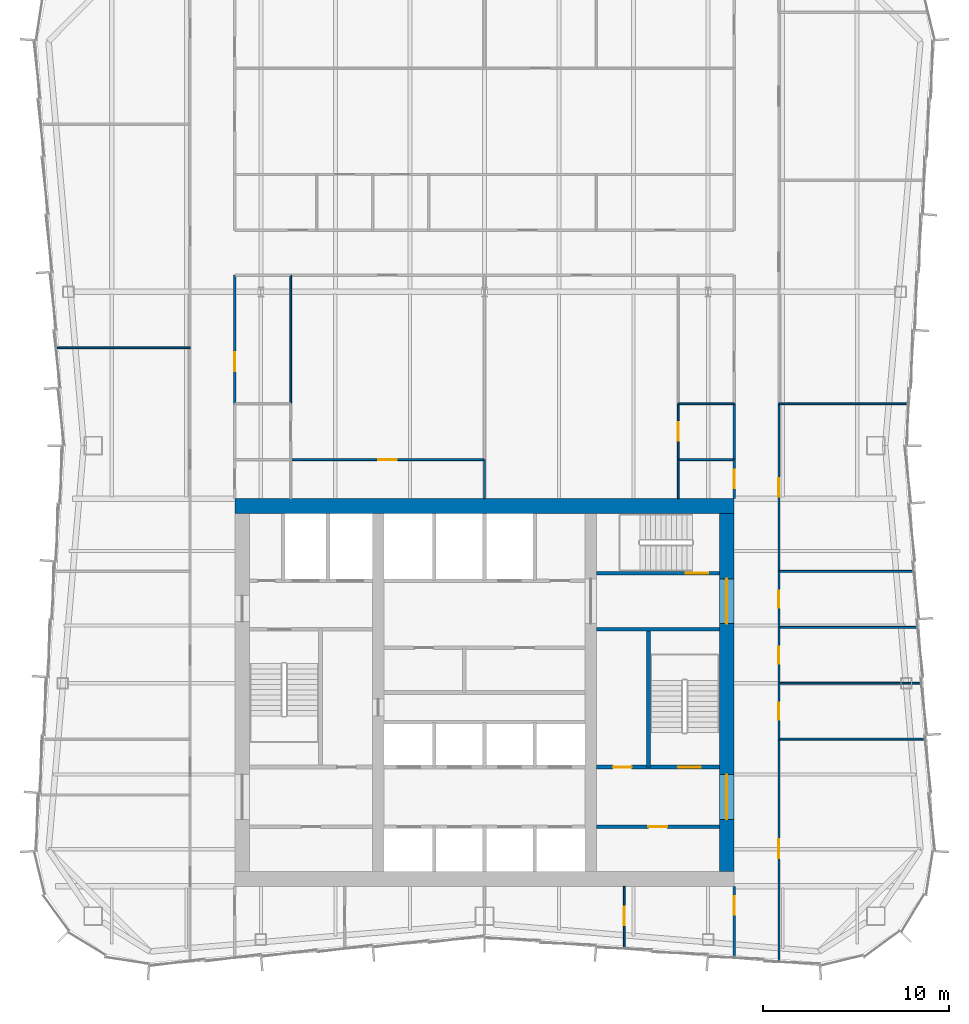
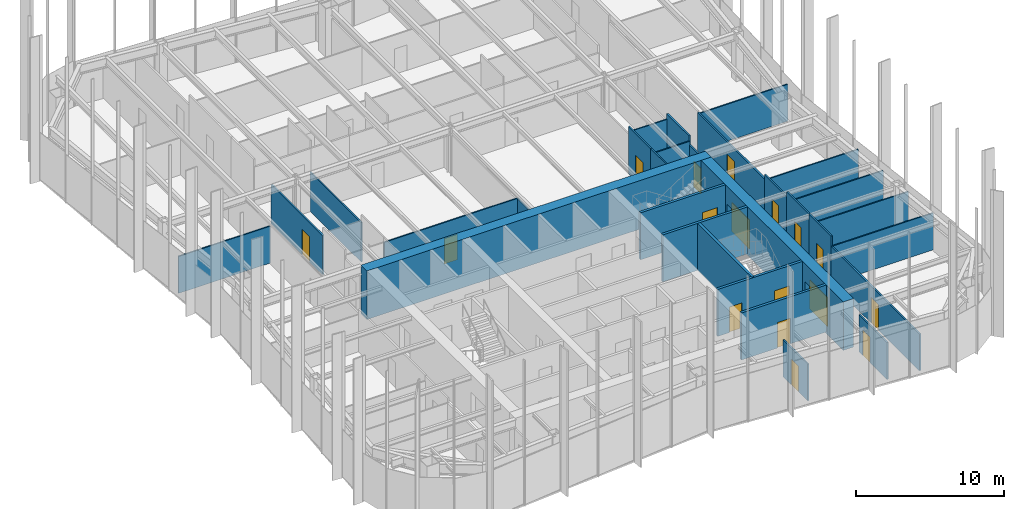
# One storey, part 12 of 15: 30 walls, 17 doors, 17 openings.
"""IFC4 building model written with IfcOpenShell, lengths in metres."""

from ifc_helpers import new_model, si_unit, direction, frame, frame_2d, origin, place, context, subcontext, project, spatial, rectangle, extrude, material, layer, layer_set, type_object, element, fill, save


model = new_model("IFC4")

# Units and contexts
model_context = context("Model", 3, precision=1e-05, world=origin(), true_north=direction((0.0, 1.0)))
body_context = subcontext(model_context, "Body", "Model", "MODEL_VIEW")
ifc_project = project(units=[si_unit("LENGTHUNIT", "METRE"), si_unit("AREAUNIT", "SQUARE_METRE"), si_unit("VOLUMEUNIT", "CUBIC_METRE"), si_unit("PLANEANGLEUNIT", "RADIAN"), si_unit("MASSUNIT", "GRAM", prefix="KILO")], contexts=[model_context])

# Site, building, storey
site_placement = place(None, origin())
site = spatial("IfcSite", under=ifc_project, at=site_placement, CompositionType="ELEMENT")
building_placement = place(site_placement, origin())
building = spatial("IfcBuilding", under=site, at=building_placement, Name="Verdant Reach Tower", CompositionType="ELEMENT")
storey_placement = place(building_placement, frame((0.0, 0.0, 238.0)))
storey = spatial("IfcBuildingStorey", under=building, at=storey_placement, Name="L54", CompositionType="ELEMENT", Elevation=238.0)

# Wall, opening, door
ifc_material_1 = material(Name="Gypsum board on steel studs", Category="steel")
ifc_layer_1 = layer(ifc_material_1, 0.199951171875)
ifc_layer_set_1 = layer_set([ifc_layer_1], Name="CO-WALL-ROOM")
wall_type_1 = type_object("IfcWallType", Name="CO-WALL-ROOM", PredefinedType="PARTITIONING", material=ifc_layer_set_1)
wall_1_placement = place(storey_placement, frame((6.0, 20.800048828125, 0.0), z_axis=(0.0, 0.0, 1.0), x_axis=(1.0, 0.0, 0.0)))
wall_1 = element("IfcWall", 1, at=wall_1_placement, inside=storey, type_object=wall_type_1, Name="Core partition, L54", PredefinedType="PARTITIONING", context=body_context, shape_type="SweptSolid", body=[
    extrude(rectangle(XDim=6.60009765625, YDim=0.199951171875, at=frame_2d((3.300048828125, 0.0))), origin(), (0.0, 0.0, 1.0), 3.8701171875),
])
opening_1_placement = place(wall_1_placement, frame((2.800048828125, 0.0, 0.0)))
opening_1 = element("IfcOpeningElement", 2, at=opening_1_placement, cuts=wall_1, Name="Opening CD", PredefinedType="OPENING", context=body_context, shape_type="SweptSolid", body=[
    extrude(rectangle(XDim=1.0, YDim=2.10009765625, at=frame_2d((0.5, 1.050048828125))), frame((0.0, 0.10986328125, 0.0), z_axis=(0.0, -1.0, 0.0), x_axis=(1.0, 0.0, 0.0)), (0.0, 0.0, 1.0), 0.219970703125),
])
ifc_material_2 = material(Name="Timber", Category="wood")
door_type_1 = type_object("IfcDoorType", Name="CO-DOOR-ROOM", OperationType="NOTDEFINED", PredefinedType="DOOR", material=ifc_material_2)
door_1_placement = place(opening_1_placement, origin())
door_1 = element("IfcDoor", 3, at=door_1_placement, inside=storey, type_object=door_type_1, Name="Core room door, L54", OperationType="SINGLE_SWING_RIGHT", OverallHeight=2.10009765625, OverallWidth=1.0, PredefinedType="DOOR", context=body_context, shape_type="SweptSolid", body=[
    extrude(rectangle(XDim=1.0, YDim=2.10009765625, at=frame_2d((0.5, 1.050048828125))), frame((0.0, 0.02490234375, 0.0), z_axis=(0.0, -1.0, 0.0), x_axis=(1.0, 0.0, 0.0)), (0.0, 0.0, 1.0), 0.050048828125),
])
fill(opening_1, door_1)

# Wall, openings, doors
ifc_material_3 = material(Name="Concrete C40/50", Category="concrete")
ifc_layer_2 = layer(ifc_material_3, 0.199951171875)
ifc_layer_set_2 = layer_set([ifc_layer_2], Name="CO-WALL-STAIR")
wall_type_2 = type_object("IfcWallType", Name="CO-WALL-STAIR", PredefinedType="PARTITIONING", material=ifc_layer_set_2)
wall_2_placement = place(storey_placement, frame((6.0, 24.0, 0.0), z_axis=(0.0, 0.0, 1.0), x_axis=(1.0, 0.0, 0.0)))
wall_2 = element("IfcWall", 4, at=wall_2_placement, inside=storey, type_object=wall_type_2, Name="Stair enclosure wall, L54", PredefinedType="PARTITIONING", context=body_context, shape_type="SweptSolid", body=[
    extrude(rectangle(XDim=6.60009765625, YDim=0.199951171875, at=frame_2d((3.300048828125, 0.0))), origin(), (0.0, 0.0, 1.0), 3.8701171875),
])
opening_2_placement = place(wall_2_placement, frame((0.89990234375, 0.0, 0.0)))
opening_2 = element("IfcOpeningElement", 5, at=opening_2_placement, cuts=wall_2, Name="Opening CD", PredefinedType="OPENING", context=body_context, shape_type="SweptSolid", body=[
    extrude(rectangle(XDim=1.0, YDim=2.10009765625, at=frame_2d((0.5, 1.050048828125))), frame((0.0, 0.10986328125, 0.0), z_axis=(0.0, -1.0, 0.0), x_axis=(1.0, 0.0, 0.0)), (0.0, 0.0, 1.0), 0.219970703125),
])
opening_3_placement = place(wall_2_placement, frame((4.39990234375, 0.0, 0.0)))
opening_3 = element("IfcOpeningElement", 6, at=opening_3_placement, cuts=wall_2, Name="Opening SD", PredefinedType="OPENING", context=body_context, shape_type="SweptSolid", body=[
    extrude(rectangle(XDim=1.199951171875, YDim=2.199951171875, at=frame_2d((0.60009765625, 1.10009765625))), frame((0.0, 0.10986328125, 0.0), z_axis=(0.0, -1.0, 0.0), x_axis=(1.0, 0.0, 0.0)), (0.0, 0.0, 1.0), 0.219970703125),
])
door_2_placement = place(opening_2_placement, origin())
door_2 = element("IfcDoor", 7, at=door_2_placement, inside=storey, type_object=door_type_1, Name="Core room door, L54", OperationType="SINGLE_SWING_LEFT", OverallHeight=2.10009765625, OverallWidth=1.0, PredefinedType="DOOR", context=body_context, shape_type="SweptSolid", body=[
    extrude(rectangle(XDim=1.0, YDim=2.10009765625, at=frame_2d((0.5, 1.050048828125))), frame((0.0, 0.02490234375, 0.0), z_axis=(0.0, -1.0, 0.0), x_axis=(1.0, 0.0, 0.0)), (0.0, 0.0, 1.0), 0.050048828125),
])
fill(opening_2, door_2)
ifc_material_4 = material(Name="Steel", Category="steel")
door_type_2 = type_object("IfcDoorType", Name="CO-DOOR-STAIR", OperationType="NOTDEFINED", PredefinedType="DOOR", material=ifc_material_4)
door_3_placement = place(opening_3_placement, origin())
door_3 = element("IfcDoor", 8, at=door_3_placement, inside=storey, type_object=door_type_2, Name="Stair door, L54", OperationType="SINGLE_SWING_LEFT", OverallHeight=2.199951171875, OverallWidth=1.199951171875, PredefinedType="DOOR", context=body_context, shape_type="SweptSolid", body=[
    extrude(rectangle(XDim=1.199951171875, YDim=2.199951171875, at=frame_2d((0.60009765625, 1.10009765625))), frame((0.0, 0.02490234375, 0.0), z_axis=(0.0, -1.0, 0.0), x_axis=(1.0, 0.0, 0.0)), (0.0, 0.0, 1.0), 0.050048828125),
])
fill(opening_3, door_3)

# Wall
wall_3_placement = place(storey_placement, frame((6.0, 31.39990234375, 0.0), z_axis=(0.0, 0.0, 1.0), x_axis=(1.0, 0.0, 0.0)))
element("IfcWall", 9, at=wall_3_placement, inside=storey, type_object=wall_type_2, Name="Stair enclosure wall, L54", PredefinedType="PARTITIONING", context=body_context, shape_type="SweptSolid", body=[
    extrude(rectangle(XDim=6.60009765625, YDim=0.199951171875, at=frame_2d((3.300048828125, 0.0))), origin(), (0.0, 0.0, 1.0), 3.8701171875),
])

# Wall, opening, door
wall_4_placement = place(storey_placement, frame((6.0, 34.39990234375, 0.0), z_axis=(0.0, 0.0, 1.0), x_axis=(1.0, 0.0, 0.0)))
wall_4 = element("IfcWall", 10, at=wall_4_placement, inside=storey, type_object=wall_type_2, Name="Stair enclosure wall, L54", PredefinedType="PARTITIONING", context=body_context, shape_type="SweptSolid", body=[
    extrude(rectangle(XDim=6.60009765625, YDim=0.199951171875, at=frame_2d((3.300048828125, 0.0))), origin(), (0.0, 0.0, 1.0), 3.8701171875),
])
opening_4_placement = place(wall_4_placement, frame((4.800048828125, 0.0, 0.0)))
opening_4 = element("IfcOpeningElement", 11, at=opening_4_placement, cuts=wall_4, Name="Opening SD", PredefinedType="OPENING", context=body_context, shape_type="SweptSolid", body=[
    extrude(rectangle(XDim=1.199951171875, YDim=2.199951171875, at=frame_2d((0.60009765625, 1.10009765625))), frame((0.0, 0.10986328125, 0.0), z_axis=(0.0, -1.0, 0.0), x_axis=(1.0, 0.0, 0.0)), (0.0, 0.0, 1.0), 0.219970703125),
])
door_4_placement = place(opening_4_placement, origin())
door_4 = element("IfcDoor", 12, at=door_4_placement, inside=storey, type_object=door_type_2, Name="Stair door, L54", OperationType="SINGLE_SWING_RIGHT", OverallHeight=2.199951171875, OverallWidth=1.199951171875, PredefinedType="DOOR", context=body_context, shape_type="SweptSolid", body=[
    extrude(rectangle(XDim=1.199951171875, YDim=2.199951171875, at=frame_2d((0.60009765625, 1.10009765625))), frame((0.0, 0.02490234375, 0.0), z_axis=(0.0, -1.0, 0.0), x_axis=(1.0, 0.0, 0.0)), (0.0, 0.0, 1.0), 0.050048828125),
])
fill(opening_4, door_4)

# Walls
wall_5_placement = place(storey_placement, frame((8.800048828125, 24.0, 0.0), z_axis=(0.0, 0.0, 1.0), x_axis=(0.0, 1.0, 0.0)))
element("IfcWall", 13, at=wall_5_placement, inside=storey, type_object=wall_type_2, Name="Stair enclosure wall, L54", PredefinedType="PARTITIONING", context=body_context, shape_type="SweptSolid", body=[
    extrude(rectangle(XDim=7.39990234375, YDim=0.199951171875, at=frame_2d((3.699951171875, 0.0))), origin(), (0.0, 0.0, 1.0), 3.8701171875),
])
ifc_layer_3 = layer(ifc_material_1, 0.10009765625)
ifc_layer_set_3 = layer_set([ifc_layer_3], Name="FL-W1 Partition 100")
wall_type_3 = type_object("IfcWallType", Name="FL-W1 Partition 100", PredefinedType="PARTITIONING", material=ifc_layer_set_3)
wall_6_placement = place(storey_placement, frame((-15.800048828125, 46.5, 0.0), z_axis=(0.0, 0.0, 1.0), x_axis=(-1.0, 0.0, 0.0)))
element("IfcWall", 14, at=wall_6_placement, inside=storey, type_object=wall_type_3, Name="Partition 54.41", PredefinedType="PARTITIONING", context=body_context, shape_type="SweptSolid", body=[
    extrude(rectangle(XDim=7.14208984375, YDim=0.10009765625, at=frame_2d((3.571044921875, 0.0))), origin(), (0.0, 0.0, 1.0), 3.0400390625),
])
wall_7_placement = place(storey_placement, frame((23.666259765625, 25.5, 0.0), z_axis=(0.0, 0.0, 1.0), x_axis=(-1.0, 0.0, 0.0)))
element("IfcWall", 15, at=wall_7_placement, inside=storey, type_object=wall_type_3, Name="Partition 54.43", PredefinedType="PARTITIONING", context=body_context, shape_type="SweptSolid", body=[
    extrude(rectangle(XDim=7.8662109375, YDim=0.10009765625, at=frame_2d((3.93310546875, 0.0))), origin(), (0.0, 0.0, 1.0), 3.0400390625),
])
wall_8_placement = place(storey_placement, frame((23.459228515625, 28.5, 0.0), z_axis=(0.0, 0.0, 1.0), x_axis=(-1.0, 0.0, 0.0)))
element("IfcWall", 16, at=wall_8_placement, inside=storey, type_object=wall_type_3, Name="Partition 54.44", PredefinedType="PARTITIONING", context=body_context, shape_type="SweptSolid", body=[
    extrude(rectangle(XDim=7.6591796875, YDim=0.10009765625, at=frame_2d((3.82958984375, 0.0))), origin(), (0.0, 0.0, 1.0), 3.0400390625),
])
wall_9_placement = place(storey_placement, frame((23.25244140625, 31.5, 0.0), z_axis=(0.0, 0.0, 1.0), x_axis=(-1.0, 0.0, 0.0)))
element("IfcWall", 17, at=wall_9_placement, inside=storey, type_object=wall_type_3, Name="Partition 54.45", PredefinedType="PARTITIONING", context=body_context, shape_type="SweptSolid", body=[
    extrude(rectangle(XDim=7.452392578125, YDim=0.10009765625, at=frame_2d((3.72607421875, 0.0))), origin(), (0.0, 0.0, 1.0), 3.0400390625),
])
wall_10_placement = place(storey_placement, frame((23.04541015625, 34.5, 0.0), z_axis=(0.0, 0.0, 1.0), x_axis=(-1.0, 0.0, 0.0)))
element("IfcWall", 18, at=wall_10_placement, inside=storey, type_object=wall_type_3, Name="Partition 54.46", PredefinedType="PARTITIONING", context=body_context, shape_type="SweptSolid", body=[
    extrude(rectangle(XDim=7.245361328125, YDim=0.10009765625, at=frame_2d((3.62255859375, 0.0))), origin(), (0.0, 0.0, 1.0), 3.0400390625),
])
wall_11_placement = place(storey_placement, frame((22.735107421875, 43.5, 0.0), z_axis=(0.0, 0.0, 1.0), x_axis=(-1.0, 0.0, 0.0)))
element("IfcWall", 19, at=wall_11_placement, inside=storey, type_object=wall_type_3, Name="Partition 54.47", PredefinedType="PARTITIONING", context=body_context, shape_type="SweptSolid", body=[
    extrude(rectangle(XDim=6.93505859375, YDim=0.10009765625, at=frame_2d((3.467529296875, 0.0))), origin(), (0.0, 0.0, 1.0), 3.0400390625),
])

# Wall, opening, door
wall_12_placement = place(storey_placement, frame((7.5, 14.294921875, 0.0), z_axis=(0.0, 0.0, 1.0), x_axis=(0.0, 1.0, 0.0)))
wall_12 = element("IfcWall", 20, at=wall_12_placement, inside=storey, type_object=wall_type_3, Name="Partition 54.52", PredefinedType="PARTITIONING", context=body_context, shape_type="SweptSolid", body=[
    extrude(rectangle(XDim=3.30517578125, YDim=0.10009765625, at=frame_2d((1.652587890625, 0.0))), origin(), (0.0, 0.0, 1.0), 3.0400390625),
])
opening_5_placement = place(wall_12_placement, frame((1.217529296875, 0.0, 0.0)))
opening_5 = element("IfcOpeningElement", 21, at=opening_5_placement, cuts=wall_12, Name="Opening D3", PredefinedType="OPENING", context=body_context, shape_type="SweptSolid", body=[
    extrude(rectangle(XDim=1.0, YDim=2.10009765625, at=frame_2d((0.5, 1.050048828125))), frame((0.0, 0.06005859375, 0.0), z_axis=(0.0, -1.0, 0.0), x_axis=(1.0, 0.0, 0.0)), (0.0, 0.0, 1.0), 0.1201171875),
])
ifc_material_5 = material(Name="Painted timber door leaf", Category="wood")
door_type_3 = type_object("IfcDoorType", Name="FL-D3 Door 1000x2100", OperationType="NOTDEFINED", PredefinedType="DOOR", material=ifc_material_5)
door_5_placement = place(opening_5_placement, origin())
door_5 = element("IfcDoor", 22, at=door_5_placement, inside=storey, type_object=door_type_3, Name="Door 54-030", OperationType="SINGLE_SWING_RIGHT", OverallHeight=2.10009765625, OverallWidth=1.0, PredefinedType="DOOR", context=body_context, shape_type="SweptSolid", body=[
    extrude(rectangle(XDim=1.0, YDim=2.10009765625, at=frame_2d((0.5, 1.050048828125))), frame((0.0, 0.02490234375, 0.0), z_axis=(0.0, -1.0, 0.0), x_axis=(1.0, 0.0, 0.0)), (0.0, 0.0, 1.0), 0.050048828125),
])
fill(opening_5, door_5)

# Wall
wall_13_placement = place(storey_placement, frame((-10.39990234375, 43.49609375, 0.0), z_axis=(0.0, 0.0, 1.0), x_axis=(0.0, 1.0, 0.0)))
element("IfcWall", 23, at=wall_13_placement, inside=storey, type_object=wall_type_3, Name="Partition 54.57", PredefinedType="PARTITIONING", context=body_context, shape_type="SweptSolid", body=[
    extrude(rectangle(XDim=6.90380859375, YDim=0.10009765625, at=frame_2d((3.451904296875, 0.0))), origin(), (0.0, 0.0, 1.0), 3.239990234375),
])

# Wall, opening, door
wall_14_placement = place(storey_placement, frame((0.0, 40.5, 0.0), z_axis=(0.0, 0.0, 1.0), x_axis=(-1.0, 0.0, 0.0)))
wall_14 = element("IfcWall", 24, at=wall_14_placement, inside=storey, type_object=wall_type_3, Name="Partition 54.58", PredefinedType="PARTITIONING", context=body_context, shape_type="SweptSolid", body=[
    extrude(rectangle(XDim=10.39990234375, YDim=0.10009765625, at=frame_2d((5.199951171875, 0.0))), origin(), (0.0, 0.0, 1.0), 3.43994140625),
])
opening_6_placement = place(wall_14_placement, frame((4.699951171875, 0.0, 0.0)))
opening_6 = element("IfcOpeningElement", 25, at=opening_6_placement, cuts=wall_14, Name="Opening D3", PredefinedType="OPENING", context=body_context, shape_type="SweptSolid", body=[
    extrude(rectangle(XDim=1.0, YDim=2.10009765625, at=frame_2d((0.5, 1.050048828125))), frame((0.0, 0.06005859375, 0.0), z_axis=(0.0, -1.0, 0.0), x_axis=(1.0, 0.0, 0.0)), (0.0, 0.0, 1.0), 0.1201171875),
])
door_6_placement = place(opening_6_placement, origin())
door_6 = element("IfcDoor", 26, at=door_6_placement, inside=storey, type_object=door_type_3, Name="Door 54-032", OperationType="SINGLE_SWING_RIGHT", OverallHeight=2.10009765625, OverallWidth=1.0, PredefinedType="DOOR", context=body_context, shape_type="SweptSolid", body=[
    extrude(rectangle(XDim=1.0, YDim=2.10009765625, at=frame_2d((0.5, 1.050048828125))), frame((0.0, 0.02490234375, 0.0), z_axis=(0.0, -1.0, 0.0), x_axis=(1.0, 0.0, 0.0)), (0.0, 0.0, 1.0), 0.050048828125),
])
fill(opening_6, door_6)

# Walls
wall_15_placement = place(storey_placement, frame((0.0, 38.39990234375, 0.0), z_axis=(0.0, 0.0, 1.0), x_axis=(0.0, 1.0, 0.0)))
element("IfcWall", 27, at=wall_15_placement, inside=storey, type_object=wall_type_3, Name="Partition 54.59", PredefinedType="PARTITIONING", context=body_context, shape_type="SweptSolid", body=[
    extrude(rectangle(XDim=2.10400390625, YDim=0.10009765625, at=frame_2d((1.052001953125, 0.0))), origin(), (0.0, 0.0, 1.0), 3.43994140625),
])
wall_16_placement = place(storey_placement, frame((13.39990234375, 40.5, 0.0), z_axis=(0.0, 0.0, 1.0), x_axis=(-1.0, 0.0, 0.0)))
element("IfcWall", 28, at=wall_16_placement, inside=storey, type_object=wall_type_3, Name="Partition 54.61", PredefinedType="PARTITIONING", context=body_context, shape_type="SweptSolid", body=[
    extrude(rectangle(XDim=3.0, YDim=0.10009765625, at=frame_2d((1.5, 0.0))), origin(), (0.0, 0.0, 1.0), 3.43994140625),
])
wall_17_placement = place(storey_placement, frame((10.39990234375, 40.50390625, 0.0), z_axis=(0.0, 0.0, 1.0), x_axis=(0.0, -1.0, 0.0)))
element("IfcWall", 29, at=wall_17_placement, inside=storey, type_object=wall_type_3, Name="Partition 54.62", PredefinedType="PARTITIONING", context=body_context, shape_type="SweptSolid", body=[
    extrude(rectangle(XDim=2.10400390625, YDim=0.10009765625, at=frame_2d((1.052001953125, 0.0))), origin(), (0.0, 0.0, 1.0), 3.8701171875),
])
wall_18_placement = place(storey_placement, frame((13.39990234375, 43.5, 0.0), z_axis=(0.0, 0.0, 1.0), x_axis=(-1.0, 0.0, 0.0)))
element("IfcWall", 30, at=wall_18_placement, inside=storey, type_object=wall_type_3, Name="Partition 54.63", PredefinedType="PARTITIONING", context=body_context, shape_type="SweptSolid", body=[
    extrude(rectangle(XDim=3.0, YDim=0.10009765625, at=frame_2d((1.5, 0.0))), origin(), (0.0, 0.0, 1.0), 3.43994140625),
])

# Wall, opening, door
wall_19_placement = place(storey_placement, frame((10.39990234375, 43.50390625, 0.0), z_axis=(0.0, 0.0, 1.0), x_axis=(0.0, -1.0, 0.0)))
wall_19 = element("IfcWall", 31, at=wall_19_placement, inside=storey, type_object=wall_type_3, Name="Partition 54.64", PredefinedType="PARTITIONING", context=body_context, shape_type="SweptSolid", body=[
    extrude(rectangle(XDim=3.0078125, YDim=0.10009765625, at=frame_2d((1.50390625, 0.0))), origin(), (0.0, 0.0, 1.0), 3.8701171875),
])
opening_7_placement = place(wall_19_placement, frame((1.00390625, 0.0, 0.0)))
opening_7 = element("IfcOpeningElement", 32, at=opening_7_placement, cuts=wall_19, Name="Opening D3", PredefinedType="OPENING", context=body_context, shape_type="SweptSolid", body=[
    extrude(rectangle(XDim=1.0, YDim=2.10009765625, at=frame_2d((0.5, 1.050048828125))), frame((0.0, 0.06005859375, 0.0), z_axis=(0.0, -1.0, 0.0), x_axis=(1.0, 0.0, 0.0)), (0.0, 0.0, 1.0), 0.1201171875),
])
door_7_placement = place(opening_7_placement, origin())
door_7 = element("IfcDoor", 33, at=door_7_placement, inside=storey, type_object=door_type_3, Name="Door 54-033", OperationType="SINGLE_SWING_LEFT", OverallHeight=2.10009765625, OverallWidth=1.0, PredefinedType="DOOR", context=body_context, shape_type="SweptSolid", body=[
    extrude(rectangle(XDim=1.0, YDim=2.10009765625, at=frame_2d((0.5, 1.050048828125))), frame((0.0, 0.02490234375, 0.0), z_axis=(0.0, -1.0, 0.0), x_axis=(1.0, 0.0, 0.0)), (0.0, 0.0, 1.0), 0.050048828125),
])
fill(opening_7, door_7)

ifc_material_6 = material(Name="Gypsum board on steel studs, fire rated", Category="steel")
ifc_layer_4 = layer(ifc_material_6, 0.125)
ifc_layer_set_4 = layer_set([ifc_layer_4], Name="FL-W2 Corridor wall 125")
wall_type_4 = type_object("IfcWallType", Name="FL-W2 Corridor wall 125", PredefinedType="PARTITIONING", material=ifc_layer_set_4)
wall_20_placement = place(storey_placement, frame((15.800048828125, 25.5, 0.0), z_axis=(0.0, 0.0, 1.0), x_axis=(0.0, -1.0, 0.0)))
wall_20 = element("IfcWall", 34, at=wall_20_placement, inside=storey, type_object=wall_type_4, Name="Partition 54.07", PredefinedType="PARTITIONING", context=body_context, shape_type="SweptSolid", body=[
    extrude(rectangle(XDim=11.896728515625, YDim=0.125, at=frame_2d((5.9482421875, 0.0))), origin(), (0.0, 0.0, 1.0), 3.0400390625),
])
opening_8_placement = place(wall_20_placement, frame((5.38330078125, 0.0, 0.0)))
opening_8 = element("IfcOpeningElement", 35, at=opening_8_placement, cuts=wall_20, Name="Opening D2", PredefinedType="OPENING", context=body_context, shape_type="SweptSolid", body=[
    extrude(rectangle(XDim=1.0, YDim=2.10009765625, at=frame_2d((0.5, 1.050048828125))), frame((0.0, 0.072509765625, 0.0), z_axis=(0.0, -1.0, 0.0), x_axis=(1.0, 0.0, 0.0)), (0.0, 0.0, 1.0), 0.14501953125),
])
ifc_material_7 = material(Name="Timber door leaf, fire rated", Category="wood")
door_type_4 = type_object("IfcDoorType", Name="FL-D2 Entrance door 1000x2100 FD30", OperationType="NOTDEFINED", PredefinedType="DOOR", material=ifc_material_7)
door_8_placement = place(opening_8_placement, origin())
door_8 = element("IfcDoor", 36, at=door_8_placement, inside=storey, type_object=door_type_4, Name="Door 54-007", OperationType="SINGLE_SWING_LEFT", OverallHeight=2.10009765625, OverallWidth=1.0, PredefinedType="DOOR", context=body_context, shape_type="SweptSolid", body=[
    extrude(rectangle(XDim=1.0, YDim=2.10009765625, at=frame_2d((0.5, 1.050048828125))), frame((0.0, 0.02490234375, 0.0), z_axis=(0.0, -1.0, 0.0), x_axis=(1.0, 0.0, 0.0)), (0.0, 0.0, 1.0), 0.050048828125),
])
fill(opening_8, door_8)

wall_21_placement = place(storey_placement, frame((15.800048828125, 28.5, 0.0), z_axis=(0.0, 0.0, 1.0), x_axis=(0.0, -1.0, 0.0)))
wall_21 = element("IfcWall", 37, at=wall_21_placement, inside=storey, type_object=wall_type_4, Name="Partition 54.08", PredefinedType="PARTITIONING", context=body_context, shape_type="SweptSolid", body=[
    extrude(rectangle(XDim=3.0, YDim=0.125, at=frame_2d((1.5, 0.0))), origin(), (0.0, 0.0, 1.0), 3.8701171875),
])
opening_9_placement = place(wall_21_placement, frame((1.050048828125, 0.0, 0.0)))
opening_9 = element("IfcOpeningElement", 38, at=opening_9_placement, cuts=wall_21, Name="Opening D1", PredefinedType="OPENING", context=body_context, shape_type="SweptSolid", body=[
    extrude(rectangle(XDim=0.89990234375, YDim=2.10009765625, at=frame_2d((0.449951171875, 1.050048828125))), frame((0.0, 0.072509765625, 0.0), z_axis=(0.0, -1.0, 0.0), x_axis=(1.0, 0.0, 0.0)), (0.0, 0.0, 1.0), 0.14501953125),
])
door_type_5 = type_object("IfcDoorType", Name="FL-D1 Door 900x2100", OperationType="NOTDEFINED", PredefinedType="DOOR", material=ifc_material_5)
door_9_placement = place(opening_9_placement, origin())
door_9 = element("IfcDoor", 39, at=door_9_placement, inside=storey, type_object=door_type_5, Name="Door 54-008", OperationType="SINGLE_SWING_RIGHT", OverallHeight=2.10009765625, OverallWidth=0.89990234375, PredefinedType="DOOR", context=body_context, shape_type="SweptSolid", body=[
    extrude(rectangle(XDim=0.89990234375, YDim=2.10009765625, at=frame_2d((0.449951171875, 1.050048828125))), frame((0.0, 0.02490234375, 0.0), z_axis=(0.0, -1.0, 0.0), x_axis=(1.0, 0.0, 0.0)), (0.0, 0.0, 1.0), 0.050048828125),
])
fill(opening_9, door_9)

wall_22_placement = place(storey_placement, frame((15.800048828125, 31.5, 0.0), z_axis=(0.0, 0.0, 1.0), x_axis=(0.0, -1.0, 0.0)))
wall_22 = element("IfcWall", 40, at=wall_22_placement, inside=storey, type_object=wall_type_4, Name="Partition 54.09", PredefinedType="PARTITIONING", context=body_context, shape_type="SweptSolid", body=[
    extrude(rectangle(XDim=3.0, YDim=0.125, at=frame_2d((1.5, 0.0))), origin(), (0.0, 0.0, 1.0), 3.8701171875),
])
opening_10_placement = place(wall_22_placement, frame((1.050048828125, 0.0, 0.0)))
opening_10 = element("IfcOpeningElement", 41, at=opening_10_placement, cuts=wall_22, Name="Opening D1", PredefinedType="OPENING", context=body_context, shape_type="SweptSolid", body=[
    extrude(rectangle(XDim=0.89990234375, YDim=2.10009765625, at=frame_2d((0.449951171875, 1.050048828125))), frame((0.0, 0.072509765625, 0.0), z_axis=(0.0, -1.0, 0.0), x_axis=(1.0, 0.0, 0.0)), (0.0, 0.0, 1.0), 0.14501953125),
])
door_10_placement = place(opening_10_placement, origin())
door_10 = element("IfcDoor", 42, at=door_10_placement, inside=storey, type_object=door_type_5, Name="Door 54-009", OperationType="SINGLE_SWING_LEFT", OverallHeight=2.10009765625, OverallWidth=0.89990234375, PredefinedType="DOOR", context=body_context, shape_type="SweptSolid", body=[
    extrude(rectangle(XDim=0.89990234375, YDim=2.10009765625, at=frame_2d((0.449951171875, 1.050048828125))), frame((0.0, 0.02490234375, 0.0), z_axis=(0.0, -1.0, 0.0), x_axis=(1.0, 0.0, 0.0)), (0.0, 0.0, 1.0), 0.050048828125),
])
fill(opening_10, door_10)

wall_23_placement = place(storey_placement, frame((15.800048828125, 34.5, 0.0), z_axis=(0.0, 0.0, 1.0), x_axis=(0.0, -1.0, 0.0)))
wall_23 = element("IfcWall", 43, at=wall_23_placement, inside=storey, type_object=wall_type_4, Name="Partition 54.10", PredefinedType="PARTITIONING", context=body_context, shape_type="SweptSolid", body=[
    extrude(rectangle(XDim=3.0, YDim=0.125, at=frame_2d((1.5, 0.0))), origin(), (0.0, 0.0, 1.0), 3.47998046875),
])
opening_11_placement = place(wall_23_placement, frame((1.050048828125, 0.0, 0.0)))
opening_11 = element("IfcOpeningElement", 44, at=opening_11_placement, cuts=wall_23, Name="Opening D1", PredefinedType="OPENING", context=body_context, shape_type="SweptSolid", body=[
    extrude(rectangle(XDim=0.89990234375, YDim=2.10009765625, at=frame_2d((0.449951171875, 1.050048828125))), frame((0.0, 0.072509765625, 0.0), z_axis=(0.0, -1.0, 0.0), x_axis=(1.0, 0.0, 0.0)), (0.0, 0.0, 1.0), 0.14501953125),
])
door_11_placement = place(opening_11_placement, origin())
door_11 = element("IfcDoor", 45, at=door_11_placement, inside=storey, type_object=door_type_5, Name="Door 54-010", OperationType="SINGLE_SWING_RIGHT", OverallHeight=2.10009765625, OverallWidth=0.89990234375, PredefinedType="DOOR", context=body_context, shape_type="SweptSolid", body=[
    extrude(rectangle(XDim=0.89990234375, YDim=2.10009765625, at=frame_2d((0.449951171875, 1.050048828125))), frame((0.0, 0.02490234375, 0.0), z_axis=(0.0, -1.0, 0.0), x_axis=(1.0, 0.0, 0.0)), (0.0, 0.0, 1.0), 0.050048828125),
])
fill(opening_11, door_11)

wall_24_placement = place(storey_placement, frame((15.800048828125, 43.5, 0.0), z_axis=(0.0, 0.0, 1.0), x_axis=(0.0, -1.0, 0.0)))
wall_24 = element("IfcWall", 46, at=wall_24_placement, inside=storey, type_object=wall_type_4, Name="Partition 54.11", PredefinedType="PARTITIONING", context=body_context, shape_type="SweptSolid", body=[
    extrude(rectangle(XDim=9.0, YDim=0.125, at=frame_2d((4.5, 0.0))), origin(), (0.0, 0.0, 1.0), 3.139892578125),
])
opening_12_placement = place(wall_24_placement, frame((4.0, 0.0, 0.0)))
opening_12 = element("IfcOpeningElement", 47, at=opening_12_placement, cuts=wall_24, Name="Opening D2", PredefinedType="OPENING", context=body_context, shape_type="SweptSolid", body=[
    extrude(rectangle(XDim=1.0, YDim=2.10009765625, at=frame_2d((0.5, 1.050048828125))), frame((0.0, 0.072509765625, 0.0), z_axis=(0.0, -1.0, 0.0), x_axis=(1.0, 0.0, 0.0)), (0.0, 0.0, 1.0), 0.14501953125),
])
door_12_placement = place(opening_12_placement, origin())
door_12 = element("IfcDoor", 48, at=door_12_placement, inside=storey, type_object=door_type_4, Name="Door 54-011", OperationType="SINGLE_SWING_LEFT", OverallHeight=2.10009765625, OverallWidth=1.0, PredefinedType="DOOR", context=body_context, shape_type="SweptSolid", body=[
    extrude(rectangle(XDim=1.0, YDim=2.10009765625, at=frame_2d((0.5, 1.050048828125))), frame((0.0, 0.02490234375, 0.0), z_axis=(0.0, -1.0, 0.0), x_axis=(1.0, 0.0, 0.0)), (0.0, 0.0, 1.0), 0.050048828125),
])
fill(opening_12, door_12)

wall_25_placement = place(storey_placement, frame((13.39990234375, 13.80322265625, 0.0), z_axis=(0.0, 0.0, 1.0), x_axis=(0.0, 1.0, 0.0)))
wall_25 = element("IfcWall", 49, at=wall_25_placement, inside=storey, type_object=wall_type_4, Name="Partition 54.16", PredefinedType="PARTITIONING", context=body_context, shape_type="SweptSolid", body=[
    extrude(rectangle(XDim=3.796875, YDim=0.125, at=frame_2d((1.8984375, 0.0))), origin(), (0.0, 0.0, 1.0), 3.0400390625),
])
opening_13_placement = place(wall_25_placement, frame((2.263427734375, 0.0, 0.0)))
opening_13 = element("IfcOpeningElement", 50, at=opening_13_placement, cuts=wall_25, Name="Opening D2", PredefinedType="OPENING", context=body_context, shape_type="SweptSolid", body=[
    extrude(rectangle(XDim=1.0, YDim=2.10009765625, at=frame_2d((0.5, 1.050048828125))), frame((0.0, 0.072509765625, 0.0), z_axis=(0.0, -1.0, 0.0), x_axis=(1.0, 0.0, 0.0)), (0.0, 0.0, 1.0), 0.14501953125),
])
door_13_placement = place(opening_13_placement, origin())
door_13 = element("IfcDoor", 51, at=door_13_placement, inside=storey, type_object=door_type_4, Name="Door 54-016", OperationType="SINGLE_SWING_RIGHT", OverallHeight=2.10009765625, OverallWidth=1.0, PredefinedType="DOOR", context=body_context, shape_type="SweptSolid", body=[
    extrude(rectangle(XDim=1.0, YDim=2.10009765625, at=frame_2d((0.5, 1.050048828125))), frame((0.0, 0.02490234375, 0.0), z_axis=(0.0, -1.0, 0.0), x_axis=(1.0, 0.0, 0.0)), (0.0, 0.0, 1.0), 0.050048828125),
])
fill(opening_13, door_13)

wall_26_placement = place(storey_placement, frame((-13.39990234375, 50.39990234375, 0.0), z_axis=(0.0, 0.0, 1.0), x_axis=(0.0, -1.0, 0.0)))
wall_26 = element("IfcWall", 52, at=wall_26_placement, inside=storey, type_object=wall_type_4, Name="Partition 54.19", PredefinedType="PARTITIONING", context=body_context, shape_type="SweptSolid", body=[
    extrude(rectangle(XDim=6.89990234375, YDim=0.125, at=frame_2d((3.449951171875, 0.0))), origin(), (0.0, 0.0, 1.0), 3.239990234375),
])
opening_14_placement = place(wall_26_placement, frame((4.14990234375, 0.0, 0.0)))
opening_14 = element("IfcOpeningElement", 53, at=opening_14_placement, cuts=wall_26, Name="Opening D2", PredefinedType="OPENING", context=body_context, shape_type="SweptSolid", body=[
    extrude(rectangle(XDim=1.0, YDim=2.10009765625, at=frame_2d((0.5, 1.050048828125))), frame((0.0, 0.072509765625, 0.0), z_axis=(0.0, -1.0, 0.0), x_axis=(1.0, 0.0, 0.0)), (0.0, 0.0, 1.0), 0.14501953125),
])
door_14_placement = place(opening_14_placement, origin())
door_14 = element("IfcDoor", 54, at=door_14_placement, inside=storey, type_object=door_type_4, Name="Door 54-018", OperationType="SINGLE_SWING_RIGHT", OverallHeight=2.10009765625, OverallWidth=1.0, PredefinedType="DOOR", context=body_context, shape_type="SweptSolid", body=[
    extrude(rectangle(XDim=1.0, YDim=2.10009765625, at=frame_2d((0.5, 1.050048828125))), frame((0.0, 0.02490234375, 0.0), z_axis=(0.0, -1.0, 0.0), x_axis=(1.0, 0.0, 0.0)), (0.0, 0.0, 1.0), 0.050048828125),
])
fill(opening_14, door_14)

wall_27_placement = place(storey_placement, frame((13.39990234375, 38.39990234375, 0.0), z_axis=(0.0, 0.0, 1.0), x_axis=(0.0, 1.0, 0.0)))
wall_27 = element("IfcWall", 55, at=wall_27_placement, inside=storey, type_object=wall_type_4, Name="Partition 54.22", PredefinedType="PARTITIONING", context=body_context, shape_type="SweptSolid", body=[
    extrude(rectangle(XDim=2.10009765625, YDim=0.125, at=frame_2d((1.050048828125, 0.0))), origin(), (0.0, 0.0, 1.0), 3.139892578125),
])
opening_15_placement = place(wall_27_placement, frame((0.550048828125, 0.0, 0.0)))
opening_15 = element("IfcOpeningElement", 56, at=opening_15_placement, cuts=wall_27, Name="Opening D2", PredefinedType="OPENING", context=body_context, shape_type="SweptSolid", body=[
    extrude(rectangle(XDim=1.0, YDim=2.10009765625, at=frame_2d((0.5, 1.050048828125))), frame((0.0, 0.072509765625, 0.0), z_axis=(0.0, -1.0, 0.0), x_axis=(1.0, 0.0, 0.0)), (0.0, 0.0, 1.0), 0.14501953125),
])
door_15_placement = place(opening_15_placement, origin())
door_15 = element("IfcDoor", 57, at=door_15_placement, inside=storey, type_object=door_type_4, Name="Door 54-020", OperationType="SINGLE_SWING_RIGHT", OverallHeight=2.10009765625, OverallWidth=1.0, PredefinedType="DOOR", context=body_context, shape_type="SweptSolid", body=[
    extrude(rectangle(XDim=1.0, YDim=2.10009765625, at=frame_2d((0.5, 1.050048828125))), frame((0.0, 0.02490234375, 0.0), z_axis=(0.0, -1.0, 0.0), x_axis=(1.0, 0.0, 0.0)), (0.0, 0.0, 1.0), 0.050048828125),
])
fill(opening_15, door_15)

# Walls
wall_28_placement = place(storey_placement, frame((13.39990234375, 40.5, 0.0), z_axis=(0.0, 0.0, 1.0), x_axis=(0.0, 1.0, 0.0)))
element("IfcWall", 58, at=wall_28_placement, inside=storey, type_object=wall_type_4, Name="Partition 54.23", PredefinedType="PARTITIONING", context=body_context, shape_type="SweptSolid", body=[
    extrude(rectangle(XDim=3.0, YDim=0.125, at=frame_2d((1.5, 0.0))), origin(), (0.0, 0.0, 1.0), 3.8701171875),
])
ifc_material_8 = material(Name="Concrete C70/85", Category="concrete")
ifc_layer_5 = layer(ifc_material_8, 0.800048828125)
ifc_layer_set_5 = layer_set([ifc_layer_5], Name="ST-CORE-WALL-800")
wall_type_5 = type_object("IfcWallType", Name="ST-CORE-WALL-800", PredefinedType="SHEAR", material=ifc_layer_set_5)
wall_29_placement = place(storey_placement, frame((-13.39990234375, 38.0, -0.1298828125), z_axis=(0.0, 0.0, 1.0), x_axis=(1.0, 0.0, 0.0)))
element("IfcWall", 59, at=wall_29_placement, inside=storey, type_object=wall_type_5, Name="Core wall N, L54", PredefinedType="SHEAR", context=body_context, shape_type="SweptSolid", body=[
    extrude(rectangle(XDim=26.7998046875, YDim=0.800048828125, at=frame_2d((13.39990234375, 0.0))), origin(), (0.0, 0.0, 1.0), 4.0),
])

# Wall, openings, doors
wall_30_placement = place(storey_placement, frame((13.0, 18.39990234375, -0.1298828125), z_axis=(0.0, 0.0, 1.0), x_axis=(0.0, 1.0, 0.0)))
wall_30 = element("IfcWall", 60, at=wall_30_placement, inside=storey, type_object=wall_type_5, Name="Core wall E, L54", PredefinedType="SHEAR", context=body_context, shape_type="SweptSolid", body=[
    extrude(rectangle(XDim=19.2001953125, YDim=0.800048828125, at=frame_2d((9.60009765625, 0.0))), origin(), (0.0, 0.0, 1.0), 4.0),
])
opening_16_placement = place(wall_30_placement, frame((2.800048828125, 0.0, 0.1298828125)))
opening_16 = element("IfcOpeningElement", 61, at=opening_16_placement, cuts=wall_30, Name="Opening LB", PredefinedType="OPENING", context=body_context, shape_type="SweptSolid", body=[
    extrude(rectangle(XDim=2.39990234375, YDim=2.39990234375, at=frame_2d((1.199951171875, 1.199951171875))), frame((0.0, 0.409912109375, 0.0), z_axis=(0.0, -1.0, 0.0), x_axis=(1.0, 0.0, 0.0)), (0.0, 0.0, 1.0), 0.820068359375),
])
opening_17_placement = place(wall_30_placement, frame((13.300048828125, 0.0, 0.1298828125)))
opening_17 = element("IfcOpeningElement", 62, at=opening_17_placement, cuts=wall_30, Name="Opening LB", PredefinedType="OPENING", context=body_context, shape_type="SweptSolid", body=[
    extrude(rectangle(XDim=2.39990234375, YDim=2.39990234375, at=frame_2d((1.199951171875, 1.199951171875))), frame((0.0, 0.409912109375, 0.0), z_axis=(0.0, -1.0, 0.0), x_axis=(1.0, 0.0, 0.0)), (0.0, 0.0, 1.0), 0.820068359375),
])
ifc_material_9 = material(Name="Glass and steel", Category="steel")
door_type_6 = type_object("IfcDoorType", Name="CO-DOOR-LOBBY", OperationType="DOUBLE_DOOR_SINGLE_SWING", PredefinedType="DOOR", material=ifc_material_9)
door_16_placement = place(opening_16_placement, origin())
door_16 = element("IfcDoor", 63, at=door_16_placement, inside=storey, type_object=door_type_6, Name="Core entrance door, L54", OperationType="DOUBLE_DOOR_SINGLE_SWING", OverallHeight=2.39990234375, OverallWidth=2.39990234375, PredefinedType="DOOR", context=body_context, shape_type="SweptSolid", body=[
    extrude(rectangle(XDim=2.39990234375, YDim=2.39990234375, at=frame_2d((1.199951171875, 1.199951171875))), frame((0.0, 0.02490234375, 0.0), z_axis=(0.0, -1.0, 0.0), x_axis=(1.0, 0.0, 0.0)), (0.0, 0.0, 1.0), 0.050048828125),
])
fill(opening_16, door_16)
door_17_placement = place(opening_17_placement, origin())
door_17 = element("IfcDoor", 64, at=door_17_placement, inside=storey, type_object=door_type_6, Name="Core entrance door, L54", OperationType="DOUBLE_DOOR_SINGLE_SWING", OverallHeight=2.39990234375, OverallWidth=2.39990234375, PredefinedType="DOOR", context=body_context, shape_type="SweptSolid", body=[
    extrude(rectangle(XDim=2.39990234375, YDim=2.39990234375, at=frame_2d((1.199951171875, 1.199951171875))), frame((0.0, 0.02490234375, 0.0), z_axis=(0.0, -1.0, 0.0), x_axis=(1.0, 0.0, 0.0)), (0.0, 0.0, 1.0), 0.050048828125),
])
fill(opening_17, door_17)

save(model, "model.ifc")
